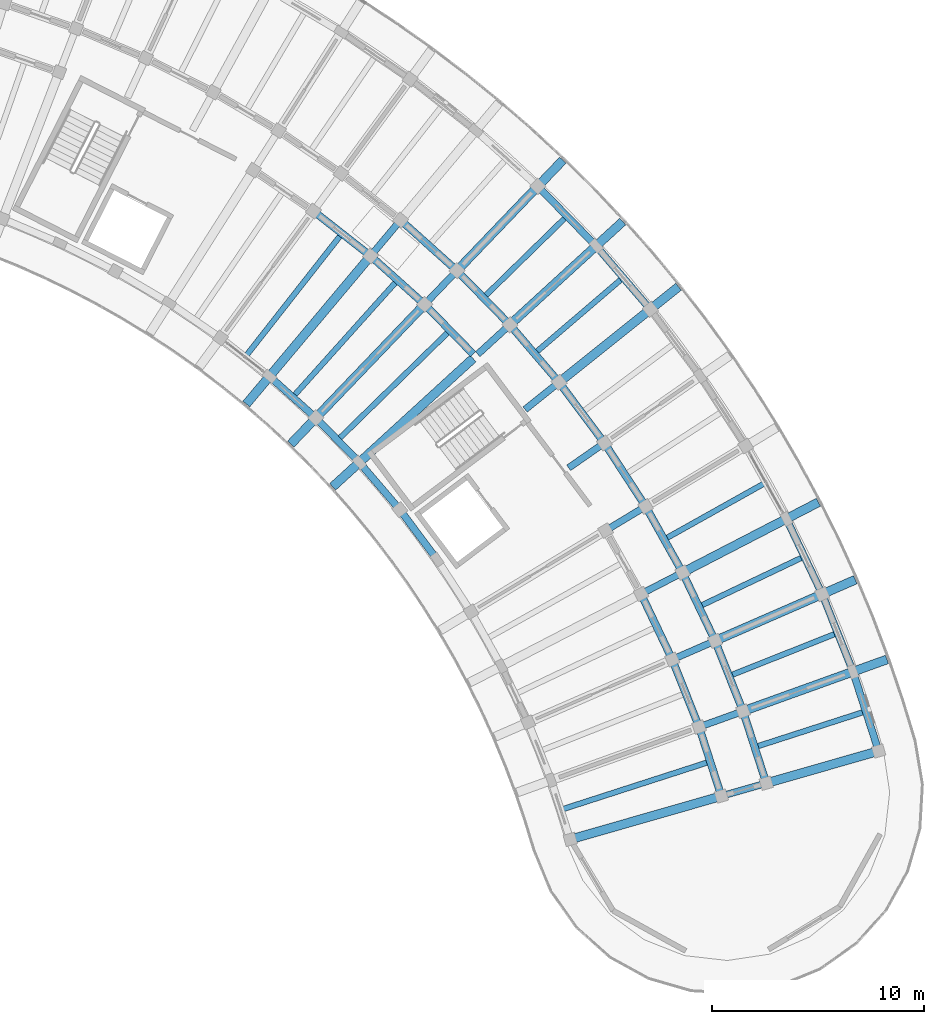
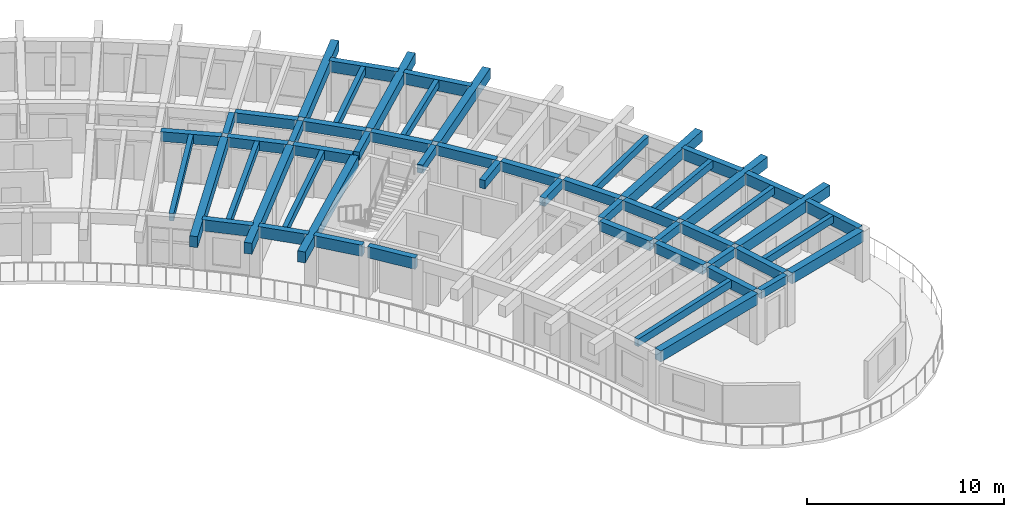
# One storey, part 24 of 78: 55 beams.
"""IFC4 building model written with IfcOpenShell, lengths in metres."""

from ifc_helpers import new_model, si_unit, direction, frame, origin, origin_2d, place, context, subcontext, project, spatial, rectangle, extrude, material, material_profile, profile_set, type_object, element, save


model = new_model("IFC4")

# Units and contexts
model_context = context("Model", 3, precision=1e-05, world=origin(), true_north=direction((0.0, 1.0)))
body_context = subcontext(model_context, "Body", "Model", "MODEL_VIEW")
ifc_project = project(units=[si_unit("LENGTHUNIT", "METRE"), si_unit("AREAUNIT", "SQUARE_METRE"), si_unit("VOLUMEUNIT", "CUBIC_METRE"), si_unit("PLANEANGLEUNIT", "RADIAN"), si_unit("MASSUNIT", "GRAM", prefix="KILO")], contexts=[model_context])

# Site, building, storey
site_placement = place(None, origin())
site = spatial("IfcSite", under=ifc_project, at=site_placement, CompositionType="ELEMENT")
building_placement = place(site_placement, origin())
building = spatial("IfcBuilding", under=site, at=building_placement, Name="Tanwirah Colonnade Gardens", CompositionType="ELEMENT")
storey_placement = place(building_placement, frame((0.0, 0.0, 22.280029296875)))
storey = spatial("IfcBuildingStorey", under=building, at=storey_placement, Name="L06", CompositionType="ELEMENT", Elevation=22.280029296875)

# Beams
ifc_material_1 = material(Name="Precast concrete C40/50", Category="concrete")
ifc_material_profile_1 = material_profile(ifc_material_1, rectangle(XDim=0.320068359375, YDim=0.52001953125, at=origin_2d()), Name="PC-BM 320x520")
ifc_profile_set_1 = profile_set([ifc_material_profile_1], Name="Precast concrete C40/50")
beam_type_1 = type_object("IfcBeamType", Name="BM-PC320", PredefinedType="BEAM", material=ifc_profile_set_1)
for number, where, z_axis, x_axis, name in (
    (1, (170.985595703125, 74.533203125, 2.849853515625), (0.961266538157, 0.275620468433, 0.0), (-0.275620468433, 0.961266538157, 0.0), "Block B L06 Corridor Tie Beam 0"),
    (2, (169.9326171875, 77.79541015625, 2.849853515625), (0.941021664552, 0.338346311999, 0.0), (-0.338346311999, 0.941021664552, 0.0), "Block B L06 Corridor Tie Beam 1"),
    (3, (168.6669921875, 80.981201171875, 2.849853515625), (0.916681481826, 0.399618644306, 0.0), (-0.399618644306, 0.916681481826, 0.0), "Block B L06 Corridor Tie Beam 2"),
):
    element("IfcBeam", number, at=place(storey_placement, frame(where, z_axis=z_axis, x_axis=x_axis)), inside=storey, type_object=beam_type_1, Name=name, PredefinedType="BEAM", context=body_context, shape_type="SweptSolid", body=[
        extrude(rectangle(XDim=0.320068359375, YDim=0.52001953125, at=origin_2d()), origin(), (0.0, 0.0, 1.0), 1.89990234375),
    ])
beam_1_placement = place(storey_placement, frame((167.194091796875, 84.07666015625, 2.849853515625), z_axis=(0.888385730697, 0.459097803844, 0.0), x_axis=(-0.459097803844, 0.888385730697, 0.0)))
element("IfcBeam", 4, at=beam_1_placement, inside=storey, type_object=beam_type_1, Name="Block B L06 Corridor Tie Beam 3", PredefinedType="BEAM", context=body_context, shape_type="SweptSolid", body=[
    extrude(rectangle(XDim=0.320068359375, YDim=0.52001953125, at=origin_2d()), origin(), (0.0, 0.0, 1.0), 1.900146484375),
])
for number, where, z_axis, x_axis, name in (
    (5, (165.520751953125, 87.068359375, 2.849853515625), (0.856174920318, 0.516686080534, 0.0), (-0.516686080534, 0.856174920318, 0.0), "Block B L06 Corridor Tie Beam 4"),
    (6, (163.653564453125, 89.943359375, 2.849853515625), (0.820305001782, 0.571926309983, 0.0), (-0.571926309983, 0.820305001782, 0.0), "Block B L06 Corridor Tie Beam 5"),
    (7, (161.601318359375, 92.68896484375, 2.849853515625), (0.78073089418, 0.624867402633, 0.0), (-0.624867402633, 0.78073089418, 0.0), "Block B L06 Corridor Tie Beam 6"),
    (8, (159.37255859375, 95.29345703125, 2.849853515625), (0.737948361517, 0.674857181732, 0.0), (-0.674857181732, 0.737948361517, 0.0), "Block B L06 Corridor Tie Beam 7"),
):
    element("IfcBeam", number, at=place(storey_placement, frame(where, z_axis=z_axis, x_axis=x_axis)), inside=storey, type_object=beam_type_1, Name=name, PredefinedType="BEAM", context=body_context, shape_type="SweptSolid", body=[
        extrude(rectangle(XDim=0.320068359375, YDim=0.52001953125, at=origin_2d()), origin(), (0.0, 0.0, 1.0), 1.89990234375),
    ])
beam_2_placement = place(storey_placement, frame((156.976806640625, 97.74560546875, 2.849853515625), z_axis=(0.691913735329, 0.721980181766, 0.0), x_axis=(-0.721980181766, 0.691913735329, 0.0)))
element("IfcBeam", 9, at=beam_2_placement, inside=storey, type_object=beam_type_1, Name="Block B L06 Corridor Tie Beam 8", PredefinedType="BEAM", context=body_context, shape_type="SweptSolid", body=[
    extrude(rectangle(XDim=0.320068359375, YDim=0.52001953125, at=origin_2d()), origin(), (0.0, 0.0, 1.0), 1.900146484375),
])
beam_3_placement = place(storey_placement, frame((154.425048828125, 100.034423828125, 2.849853515625), z_axis=(0.642797194343, 0.766036400535, 0.0), x_axis=(-0.766036400535, 0.642797194343, 0.0)))
element("IfcBeam", 10, at=beam_3_placement, inside=storey, type_object=beam_type_1, Name="Block B L06 Corridor Tie Beam 9", PredefinedType="BEAM", context=body_context, shape_type="SweptSolid", body=[
    extrude(rectangle(XDim=0.320068359375, YDim=0.52001953125, at=origin_2d()), origin(), (0.0, 0.0, 1.0), 1.89990234375),
])
ifc_material_profile_2 = material_profile(ifc_material_1, rectangle(XDim=0.35009765625, YDim=0.60009765625, at=origin_2d()), Name="PC-BM 350x600")
ifc_profile_set_2 = profile_set([ifc_material_profile_2], Name="Precast concrete C40/50")
beam_type_2 = type_object("IfcBeamType", Name="BM-PC350B", PredefinedType="BEAM", material=ifc_profile_set_2)
beam_4_placement = place(storey_placement, frame((170.79541015625, 74.634521484375, 2.81005859375), z_axis=(-0.307169780148, 0.951654730542, 0.0), x_axis=(-0.951654730542, -0.307169780148, 0.0)))
element("IfcBeam", 11, at=beam_4_placement, inside=storey, type_object=beam_type_2, Name="Block B L06 Circumferential Beam 0-R1", PredefinedType="BEAM", context=body_context, shape_type="SweptSolid", body=[
    extrude(rectangle(XDim=0.35009765625, YDim=0.60009765625, at=origin_2d()), origin(), (0.0, 0.0, 1.0), 3.117919921875),
])
beam_5_placement = place(storey_placement, frame((172.91015625, 75.240966796875, 2.81005859375), z_axis=(-0.307212636327, 0.9516408966, 0.0), x_axis=(-0.9516408966, -0.307212636327, 0.0)))
element("IfcBeam", 12, at=beam_5_placement, inside=storey, type_object=beam_type_2, Name="Block B L06 Circumferential Beam 0-R2", PredefinedType="BEAM", context=body_context, shape_type="SweptSolid", body=[
    extrude(rectangle(XDim=0.35009765625, YDim=0.60009765625, at=origin_2d()), origin(), (0.0, 0.0, 1.0), 3.262939453125),
])
beam_6_placement = place(storey_placement, frame((169.736083984375, 77.884033203125, 2.81005859375), z_axis=(-0.369189105832, 0.929354294193, 0.0), x_axis=(-0.929354294193, -0.369189105832, 0.0)))
element("IfcBeam", 13, at=beam_6_placement, inside=storey, type_object=beam_type_2, Name="Block B L06 Circumferential Beam 1-R1", PredefinedType="BEAM", context=body_context, shape_type="SweptSolid", body=[
    extrude(rectangle(XDim=0.35009765625, YDim=0.60009765625, at=origin_2d()), origin(), (0.0, 0.0, 1.0), 3.117919921875),
])
beam_7_placement = place(storey_placement, frame((171.806396484375, 78.62841796875, 2.81005859375), z_axis=(-0.369209712056, 0.929346108037, 0.0), x_axis=(-0.929346108037, -0.369209712056, 0.0)))
element("IfcBeam", 14, at=beam_7_placement, inside=storey, type_object=beam_type_2, Name="Block B L06 Circumferential Beam 1-R2", PredefinedType="BEAM", context=body_context, shape_type="SweptSolid", body=[
    extrude(rectangle(XDim=0.35009765625, YDim=0.60009765625, at=origin_2d()), origin(), (0.0, 0.0, 1.0), 3.26318359375),
])
beam_8_placement = place(storey_placement, frame((168.465087890625, 81.056640625, 2.81005859375), z_axis=(-0.429620507728, 0.903009534468, 0.0), x_axis=(-0.903009534468, -0.429620507728, 0.0)))
element("IfcBeam", 15, at=beam_8_placement, inside=storey, type_object=beam_type_2, Name="Block B L06 Circumferential Beam 2-R1", PredefinedType="BEAM", context=body_context, shape_type="SweptSolid", body=[
    extrude(rectangle(XDim=0.35009765625, YDim=0.60009765625, at=origin_2d()), origin(), (0.0, 0.0, 1.0), 3.1181640625),
])
beam_9_placement = place(storey_placement, frame((170.481689453125, 81.935791015625, 2.81005859375), z_axis=(-0.4295908638, 0.90302363742, 0.0), x_axis=(-0.90302363742, -0.4295908638, 0.0)))
element("IfcBeam", 16, at=beam_9_placement, inside=storey, type_object=beam_type_2, Name="Block B L06 Circumferential Beam 2-R2", PredefinedType="BEAM", context=body_context, shape_type="SweptSolid", body=[
    extrude(rectangle(XDim=0.35009765625, YDim=0.60009765625, at=origin_2d()), origin(), (0.0, 0.0, 1.0), 3.26318359375),
])
for number, where, z_axis, x_axis, name in (
    (17, (168.942138671875, 85.14892578125, 2.81005859375), (-0.488213717102, 0.87272410671, 0.0), (-0.87272410671, -0.488213717102, 0.0), "Block B L06 Circumferential Beam 3-R2"),
    (18, (167.194091796875, 88.25341796875, 2.81005859375), (-0.544627998385, 0.838677735114, 0.0), (-0.838677735114, -0.544627998385, 0.0), "Block B L06 Circumferential Beam 4-R2"),
    (19, (165.245361328125, 91.236083984375, 2.81005859375), (-0.59871829396, 0.800959677186, 0.0), (-0.800959677186, -0.59871829396, 0.0), "Block B L06 Circumferential Beam 5-R2"),
):
    element("IfcBeam", number, at=place(storey_placement, frame(where, z_axis=z_axis, x_axis=x_axis)), inside=storey, type_object=beam_type_2, Name=name, PredefinedType="BEAM", context=body_context, shape_type="SweptSolid", body=[
        extrude(rectangle(XDim=0.35009765625, YDim=0.60009765625, at=origin_2d()), origin(), (0.0, 0.0, 1.0), 3.262939453125),
    ])
beam_10_placement = place(storey_placement, frame((163.1044921875, 94.083740234375, 2.81005859375), z_axis=(-0.650218192342, 0.759747525398, 0.0), x_axis=(-0.759747525398, -0.650218192342, 0.0)))
element("IfcBeam", 20, at=beam_10_placement, inside=storey, type_object=beam_type_2, Name="Block B L06 Circumferential Beam 6-R2", PredefinedType="BEAM", context=body_context, shape_type="SweptSolid", body=[
    extrude(rectangle(XDim=0.35009765625, YDim=0.60009765625, at=origin_2d()), origin(), (0.0, 0.0, 1.0), 3.26318359375),
])
beam_11_placement = place(storey_placement, frame((159.156982421875, 95.299560546875, 2.81005859375), z_axis=(-0.698837366631, 0.715280598787, 0.0), x_axis=(-0.715280598787, -0.698837366631, 0.0)))
element("IfcBeam", 21, at=beam_11_placement, inside=storey, type_object=beam_type_2, Name="Block B L06 Circumferential Beam 7-R1", PredefinedType="BEAM", context=body_context, shape_type="SweptSolid", body=[
    extrude(rectangle(XDim=0.35009765625, YDim=0.60009765625, at=origin_2d()), origin(), (0.0, 0.0, 1.0), 3.117919921875),
])
beam_12_placement = place(storey_placement, frame((160.780517578125, 96.7841796875, 2.81005859375), z_axis=(-0.698829447339, 0.71528833594, 0.0), x_axis=(-0.71528833594, -0.698829447339, 0.0)))
element("IfcBeam", 22, at=beam_12_placement, inside=storey, type_object=beam_type_2, Name="Block B L06 Circumferential Beam 7-R2", PredefinedType="BEAM", context=body_context, shape_type="SweptSolid", body=[
    extrude(rectangle(XDim=0.35009765625, YDim=0.60009765625, at=origin_2d()), origin(), (0.0, 0.0, 1.0), 3.263427734375),
])
beam_13_placement = place(storey_placement, frame((156.761474609375, 97.7373046875, 2.81005859375), z_axis=(-0.744429866059, 0.667700662363, 0.0), x_axis=(-0.667700662363, -0.744429866059, 0.0)))
element("IfcBeam", 23, at=beam_13_placement, inside=storey, type_object=beam_type_2, Name="Block B L06 Circumferential Beam 8-R1", PredefinedType="BEAM", context=body_context, shape_type="SweptSolid", body=[
    extrude(rectangle(XDim=0.35009765625, YDim=0.60009765625, at=origin_2d()), origin(), (0.0, 0.0, 1.0), 3.1181640625),
])
beam_14_placement = place(storey_placement, frame((158.283447265625, 99.32568359375, 2.81005859375), z_axis=(-0.744409136578, 0.667723773262, 0.0), x_axis=(-0.667723773262, -0.744409136578, 0.0)))
element("IfcBeam", 24, at=beam_14_placement, inside=storey, type_object=beam_type_2, Name="Block B L06 Circumferential Beam 8-R2", PredefinedType="BEAM", context=body_context, shape_type="SweptSolid", body=[
    extrude(rectangle(XDim=0.35009765625, YDim=0.60009765625, at=origin_2d()), origin(), (0.0, 0.0, 1.0), 3.26318359375),
])
beam_15_placement = place(storey_placement, frame((154.21044921875, 100.011962890625, 2.81005859375), z_axis=(-0.78679899272, 0.617209320292, 0.0), x_axis=(-0.617209320292, -0.78679899272, 0.0)))
element("IfcBeam", 25, at=beam_15_placement, inside=storey, type_object=beam_type_2, Name="Block B L06 Circumferential Beam 9-R1", PredefinedType="BEAM", context=body_context, shape_type="SweptSolid", body=[
    extrude(rectangle(XDim=0.35009765625, YDim=0.60009765625, at=origin_2d()), origin(), (0.0, 0.0, 1.0), 3.1181640625),
])
ifc_material_2 = material(Name="Precast concrete C45/55", Category="concrete")
ifc_material_profile_3 = material_profile(ifc_material_2, rectangle(XDim=0.419921875, YDim=0.679931640625, at=origin_2d()), Name="PC-BM 420x680")
ifc_profile_set_3 = profile_set([ifc_material_profile_3], Name="Precast concrete C45/55")
beam_type_3 = type_object("IfcBeamType", Name="BM-PC420", PredefinedType="BEAM", material=ifc_profile_set_3)
beam_16_placement = place(storey_placement, frame((170.697265625, 74.450439453125, 2.77001953125), z_axis=(-0.961261397636, -0.275638396117, 0.0), x_axis=(0.275638396117, -0.961261397636, 0.0)))
element("IfcBeam", 26, at=beam_16_placement, inside=storey, type_object=beam_type_3, Name="Block B L06 Inner Radial Precast Girder 0", PredefinedType="BEAM", context=body_context, shape_type="SweptSolid", body=[
    extrude(rectangle(XDim=0.419921875, YDim=0.679931640625, at=origin_2d()), origin(), (0.0, 0.0, 1.0), 7.10009765625),
])
beam_17_placement = place(storey_placement, frame((173.100341796875, 75.1396484375, 2.77001953125), z_axis=(0.961271958689, 0.275601562836, 0.0), x_axis=(-0.275601562836, 0.961271958689, 0.0)))
element("IfcBeam", 27, at=beam_17_placement, inside=storey, type_object=beam_type_3, Name="Block B L06 Outer Radial Precast Girder 0", PredefinedType="BEAM", context=body_context, shape_type="SweptSolid", body=[
    extrude(rectangle(XDim=0.419921875, YDim=0.679931640625, at=origin_2d()), origin(), (0.0, 0.0, 1.0), 5.199951171875),
])
beam_18_placement = place(storey_placement, frame((172.0029296875, 78.539794921875, 2.77001953125), z_axis=(0.941011841171, 0.338373631917, 0.0), x_axis=(-0.338373631917, 0.941011841171, 0.0)))
element("IfcBeam", 28, at=beam_18_placement, inside=storey, type_object=beam_type_3, Name="Block B L06 Outer Radial Precast Girder 1", PredefinedType="BEAM", context=body_context, shape_type="SweptSolid", body=[
    extrude(rectangle(XDim=0.419921875, YDim=0.679931640625, at=origin_2d()), origin(), (0.0, 0.0, 1.0), 7.0498046875),
])
beam_19_placement = place(storey_placement, frame((170.68359375, 81.8603515625, 2.77001953125), z_axis=(0.916678725612, 0.399624966702, 0.0), x_axis=(-0.399624966702, 0.916678725612, 0.0)))
element("IfcBeam", 29, at=beam_19_placement, inside=storey, type_object=beam_type_3, Name="Block B L06 Outer Radial Precast Girder 2", PredefinedType="BEAM", context=body_context, shape_type="SweptSolid", body=[
    extrude(rectangle(XDim=0.419921875, YDim=0.679931640625, at=origin_2d()), origin(), (0.0, 0.0, 1.0), 7.050048828125),
])
beam_20_placement = place(storey_placement, frame((169.148681640625, 85.0869140625, 2.77001953125), z_axis=(0.888348690665, 0.459169471758, 0.0), x_axis=(-0.459169471758, 0.888348690665, 0.0)))
element("IfcBeam", 30, at=beam_20_placement, inside=storey, type_object=beam_type_3, Name="Block B L06 Outer Radial Precast Girder 3", PredefinedType="BEAM", context=body_context, shape_type="SweptSolid", body=[
    extrude(rectangle(XDim=0.419921875, YDim=0.679931640625, at=origin_2d()), origin(), (0.0, 0.0, 1.0), 7.0498046875),
])
beam_21_placement = place(storey_placement, frame((163.319091796875, 94.0634765625, 2.77001953125), z_axis=(0.780794476885, 0.624787951921, 0.0), x_axis=(-0.624787951921, 0.780794476885, 0.0)))
element("IfcBeam", 31, at=beam_21_placement, inside=storey, type_object=beam_type_3, Name="Block B L06 Outer Radial Precast Girder 6", PredefinedType="BEAM", context=body_context, shape_type="SweptSolid", body=[
    extrude(rectangle(XDim=0.419921875, YDim=0.679931640625, at=origin_2d()), origin(), (0.0, 0.0, 1.0), 7.050048828125),
])
beam_22_placement = place(storey_placement, frame((159.151123046875, 95.091064453125, 2.77001953125), z_axis=(-0.737937205818, -0.674869380154, 0.0), x_axis=(0.674869380154, -0.737937205818, 0.0)))
element("IfcBeam", 32, at=beam_22_placement, inside=storey, type_object=beam_type_3, Name="Block B L06 Inner Radial Precast Girder 7", PredefinedType="BEAM", context=body_context, shape_type="SweptSolid", body=[
    extrude(rectangle(XDim=0.419921875, YDim=0.679931640625, at=origin_2d()), origin(), (0.0, 0.0, 1.0), 8.949951171875),
])
beam_23_placement = place(storey_placement, frame((160.995849609375, 96.7783203125, 2.77001953125), z_axis=(0.737934199263, 0.674872667663, 0.0), x_axis=(-0.674872667663, 0.737934199263, 0.0)))
element("IfcBeam", 33, at=beam_23_placement, inside=storey, type_object=beam_type_3, Name="Block B L06 Outer Radial Precast Girder 7", PredefinedType="BEAM", context=body_context, shape_type="SweptSolid", body=[
    extrude(rectangle(XDim=0.419921875, YDim=0.679931640625, at=origin_2d()), origin(), (0.0, 0.0, 1.0), 7.050048828125),
])
beam_24_placement = place(storey_placement, frame((156.769287109375, 97.52880859375, 2.77001953125), z_axis=(-0.691860926595, -0.722030787606, 0.0), x_axis=(0.722030787606, -0.691860926595, 0.0)))
element("IfcBeam", 34, at=beam_24_placement, inside=storey, type_object=beam_type_3, Name="Block B L06 Inner Radial Precast Girder 8", PredefinedType="BEAM", context=body_context, shape_type="SweptSolid", body=[
    extrude(rectangle(XDim=0.419921875, YDim=0.679931640625, at=origin_2d()), origin(), (0.0, 0.0, 1.0), 8.949951171875),
])
beam_25_placement = place(storey_placement, frame((158.4990234375, 99.333984375, 2.77001953125), z_axis=(0.691864746793, 0.722027127015, 0.0), x_axis=(-0.722027127015, 0.691864746793, 0.0)))
element("IfcBeam", 35, at=beam_25_placement, inside=storey, type_object=beam_type_3, Name="Block B L06 Outer Radial Precast Girder 8", PredefinedType="BEAM", context=body_context, shape_type="SweptSolid", body=[
    extrude(rectangle(XDim=0.419921875, YDim=0.679931640625, at=origin_2d()), origin(), (0.0, 0.0, 1.0), 7.050048828125),
])
beam_26_placement = place(storey_placement, frame((154.232177734375, 99.804443359375, 2.77001953125), z_axis=(-0.64279407932, -0.766039014406, 0.0), x_axis=(0.766039014406, -0.64279407932, 0.0)))
element("IfcBeam", 36, at=beam_26_placement, inside=storey, type_object=beam_type_3, Name="Block B L06 Inner Radial Precast Girder 9", PredefinedType="BEAM", context=body_context, shape_type="SweptSolid", body=[
    extrude(rectangle(XDim=0.419921875, YDim=0.679931640625, at=origin_2d()), origin(), (0.0, 0.0, 1.0), 8.949951171875),
])
ifc_material_profile_4 = material_profile(ifc_material_1, rectangle(XDim=0.260009765625, YDim=0.4599609375, at=origin_2d()), Name="PC-JST 260x460")
ifc_profile_set_4 = profile_set([ifc_material_profile_4], Name="Precast concrete C40/50")
beam_type_4 = type_object("IfcBeamType", Name="JST-PC260", PredefinedType="JOIST", material=ifc_profile_set_4)
beam_27_placement = place(storey_placement, frame((172.551025390625, 76.839599609375, 2.8798828125), z_axis=(0.951656985441, 0.307162794072, 0.0), x_axis=(-0.307162794072, 0.951656985441, 0.0)))
element("IfcBeam", 37, at=beam_27_placement, inside=storey, type_object=beam_type_4, Name="Block B L06 Precast Floor Joist 0", PredefinedType="JOIST", context=body_context, shape_type="SweptSolid", body=[
    extrude(rectangle(XDim=0.260009765625, YDim=0.4599609375, at=origin_2d()), origin(), (0.0, 0.0, 1.0), 5.26025390625),
])
beam_28_placement = place(storey_placement, frame((163.415283203125, 73.890625, 2.8798828125), z_axis=(0.951647858625, 0.307191069489, 0.0), x_axis=(-0.307191069489, 0.951647858625, 0.0)))
element("IfcBeam", 38, at=beam_28_placement, inside=storey, type_object=beam_type_4, Name="Block B L06 Inner Precast Floor Joist 0", PredefinedType="JOIST", context=body_context, shape_type="SweptSolid", body=[
    extrude(rectangle(XDim=0.260009765625, YDim=0.4599609375, at=origin_2d()), origin(), (0.0, 0.0, 1.0), 7.159912109375),
])
beam_29_placement = place(storey_placement, frame((171.3427734375, 80.199951171875, 2.8798828125), z_axis=(0.929357539836, 0.369180935517, 0.0), x_axis=(-0.369180935517, 0.929357539836, 0.0)))
element("IfcBeam", 39, at=beam_29_placement, inside=storey, type_object=beam_type_4, Name="Block B L06 Precast Floor Joist 1", PredefinedType="JOIST", context=body_context, shape_type="SweptSolid", body=[
    extrude(rectangle(XDim=0.260009765625, YDim=0.4599609375, at=origin_2d()), origin(), (0.0, 0.0, 1.0), 5.260009765625),
])
beam_30_placement = place(storey_placement, frame((169.91552734375, 83.473388671875, 2.8798828125), z_axis=(0.903018314862, 0.429602051931, 0.0), x_axis=(-0.429602051931, 0.903018314862, 0.0)))
element("IfcBeam", 40, at=beam_30_placement, inside=storey, type_object=beam_type_4, Name="Block B L06 Precast Floor Joist 2", PredefinedType="JOIST", context=body_context, shape_type="SweptSolid", body=[
    extrude(rectangle(XDim=0.260009765625, YDim=0.4599609375, at=origin_2d()), origin(), (0.0, 0.0, 1.0), 5.26025390625),
])
beam_31_placement = place(storey_placement, frame((168.27587890625, 86.645751953125, 2.8798828125), z_axis=(0.872737031138, 0.488190612855, 0.0), x_axis=(-0.488190612855, 0.872737031138, 0.0)))
element("IfcBeam", 41, at=beam_31_placement, inside=storey, type_object=beam_type_4, Name="Block B L06 Precast Floor Joist 3", PredefinedType="JOIST", context=body_context, shape_type="SweptSolid", body=[
    extrude(rectangle(XDim=0.260009765625, YDim=0.4599609375, at=origin_2d()), origin(), (0.0, 0.0, 1.0), 5.260009765625),
])
beam_32_placement = place(storey_placement, frame((162.156982421875, 95.42041015625, 2.8798828125), z_axis=(0.759770723643, 0.65019108537, 0.0), x_axis=(-0.65019108537, 0.759770723643, 0.0)))
element("IfcBeam", 42, at=beam_32_placement, inside=storey, type_object=beam_type_4, Name="Block B L06 Precast Floor Joist 6", PredefinedType="JOIST", context=body_context, shape_type="SweptSolid", body=[
    extrude(rectangle(XDim=0.260009765625, YDim=0.4599609375, at=origin_2d()), origin(), (0.0, 0.0, 1.0), 5.26025390625),
])
beam_33_placement = place(storey_placement, frame((159.7470703125, 98.0556640625, 2.8798828125), z_axis=(0.715297399369, 0.698820170327, 0.0), x_axis=(-0.698820170327, 0.715297399369, 0.0)))
element("IfcBeam", 43, at=beam_33_placement, inside=storey, type_object=beam_type_4, Name="Block B L06 Precast Floor Joist 7", PredefinedType="JOIST", context=body_context, shape_type="SweptSolid", body=[
    extrude(rectangle(XDim=0.260009765625, YDim=0.4599609375, at=origin_2d()), origin(), (0.0, 0.0, 1.0), 5.260009765625),
])
beam_34_placement = place(storey_placement, frame((152.88037109375, 91.346923828125, 2.8798828125), z_axis=(0.715276680509, 0.698841377081, 0.0), x_axis=(-0.698841377081, 0.715276680509, 0.0)))
element("IfcBeam", 44, at=beam_34_placement, inside=storey, type_object=beam_type_4, Name="Block B L06 Inner Precast Floor Joist 7", PredefinedType="JOIST", context=body_context, shape_type="SweptSolid", body=[
    extrude(rectangle(XDim=0.260009765625, YDim=0.4599609375, at=origin_2d()), origin(), (0.0, 0.0, 1.0), 7.159912109375),
])
beam_35_placement = place(storey_placement, frame((150.7587890625, 93.379638671875, 2.8798828125), z_axis=(0.667688404274, 0.744440860511, 0.0), x_axis=(-0.744440860511, 0.667688404274, 0.0)))
element("IfcBeam", 45, at=beam_35_placement, inside=storey, type_object=beam_type_4, Name="Block B L06 Inner Precast Floor Joist 8", PredefinedType="JOIST", context=body_context, shape_type="SweptSolid", body=[
    extrude(rectangle(XDim=0.260009765625, YDim=0.4599609375, at=origin_2d()), origin(), (0.0, 0.0, 1.0), 7.16015625),
])
beam_36_placement = place(storey_placement, frame((148.508056640625, 95.268310546875, 2.8798828125), z_axis=(0.617202438917, 0.786804390808, 0.0), x_axis=(-0.786804390808, 0.617202438917, 0.0)))
element("IfcBeam", 46, at=beam_36_placement, inside=storey, type_object=beam_type_4, Name="Block B L06 Inner Precast Floor Joist 9", PredefinedType="JOIST", context=body_context, shape_type="SweptSolid", body=[
    extrude(rectangle(XDim=0.260009765625, YDim=0.4599609375, at=origin_2d()), origin(), (0.0, 0.0, 1.0), 7.159912109375),
])
ifc_material_profile_5 = material_profile(ifc_material_1, rectangle(XDim=0.3349609375, YDim=0.695068359375, at=origin_2d()), Name="PC-SP 335x695")
ifc_profile_set_5 = profile_set([ifc_material_profile_5], Name="Precast concrete C40/50")
beam_type_5 = type_object("IfcBeamType", Name="SP-PC300", PredefinedType="SPANDREL", material=ifc_profile_set_5)
for number, where, z_axis, x_axis, name in (
    (47, (178.197021484375, 76.7568359375, 2.762451171875), (-0.307183773768, 0.951650213647, 0.0), (-0.951650213647, -0.307183773768, 0.0), "Block B L06 Circumferential Beam 0-R3"),
    (48, (176.98193359375, 80.489501953125, 2.762451171875), (-0.369195460985, 0.929351769562, 0.0), (-0.929351769562, -0.369195460985, 0.0), "Block B L06 Circumferential Beam 1-R3"),
    (49, (175.5234375, 84.1337890625, 2.762451171875), (-0.429593766142, 0.903022256698, 0.0), (-0.903022256698, -0.429593766142, 0.0), "Block B L06 Circumferential Beam 2-R3"),
):
    element("IfcBeam", number, at=place(storey_placement, frame(where, z_axis=z_axis, x_axis=x_axis)), inside=storey, type_object=beam_type_5, Name=name, PredefinedType="SPANDREL", context=body_context, shape_type="SweptSolid", body=[
        extrude(rectangle(XDim=0.3349609375, YDim=0.695068359375, at=origin_2d()), origin(), (0.0, 0.0, 1.0), 3.625732421875),
    ])
beam_37_placement = place(storey_placement, frame((157.370849609375, 85.744873046875, 2.762451171875), z_axis=(-0.598662613551, 0.80100129534, 0.0), x_axis=(-0.80100129534, -0.598662613551, 0.0)))
element("IfcBeam", 50, at=beam_37_placement, inside=storey, type_object=beam_type_5, Name="Block B L06 Circumferential Beam 5-R0", PredefinedType="SPANDREL", context=body_context, shape_type="SweptSolid", body=[
    extrude(rectangle(XDim=0.3349609375, YDim=0.695068359375, at=origin_2d()), origin(), (0.0, 0.0, 1.0), 2.63037109375),
])
beam_38_placement = place(storey_placement, frame((155.60888671875, 88.0859375, 2.762451171875), z_axis=(-0.650217875778, 0.759747796323, 0.0), x_axis=(-0.759747796323, -0.650217875778, 0.0)))
element("IfcBeam", 51, at=beam_38_placement, inside=storey, type_object=beam_type_5, Name="Block B L06 Circumferential Beam 6-R0", PredefinedType="SPANDREL", context=body_context, shape_type="SweptSolid", body=[
    extrude(rectangle(XDim=0.3349609375, YDim=0.695068359375, at=origin_2d()), origin(), (0.0, 0.0, 1.0), 2.630126953125),
])
beam_39_placement = place(storey_placement, frame((167.398681640625, 97.52001953125, 2.762451171875), z_axis=(-0.650170105297, 0.759788677317, 0.0), x_axis=(-0.759788677317, -0.650170105297, 0.0)))
element("IfcBeam", 52, at=beam_39_placement, inside=storey, type_object=beam_type_5, Name="Block B L06 Circumferential Beam 6-R3", PredefinedType="SPANDREL", context=body_context, shape_type="SweptSolid", body=[
    extrude(rectangle(XDim=0.3349609375, YDim=0.695068359375, at=origin_2d()), origin(), (0.0, 0.0, 1.0), 3.625732421875),
])
beam_40_placement = place(storey_placement, frame((153.6962890625, 90.305419921875, 2.762451171875), z_axis=(-0.698844462704, 0.715273665772, 0.0), x_axis=(-0.715273665772, -0.698844462704, 0.0)))
element("IfcBeam", 53, at=beam_40_placement, inside=storey, type_object=beam_type_5, Name="Block B L06 Circumferential Beam 7-R0", PredefinedType="SPANDREL", context=body_context, shape_type="SweptSolid", body=[
    extrude(rectangle(XDim=0.3349609375, YDim=0.695068359375, at=origin_2d()), origin(), (0.0, 0.0, 1.0), 2.630126953125),
])
beam_41_placement = place(storey_placement, frame((164.839111328125, 100.49609375, 2.762451171875), z_axis=(-0.698844493997, 0.715273635199, 0.0), x_axis=(-0.715273635199, -0.698844493997, 0.0)))
element("IfcBeam", 54, at=beam_41_placement, inside=storey, type_object=beam_type_5, Name="Block B L06 Circumferential Beam 7-R3", PredefinedType="SPANDREL", context=body_context, shape_type="SweptSolid", body=[
    extrude(rectangle(XDim=0.3349609375, YDim=0.695068359375, at=origin_2d()), origin(), (0.0, 0.0, 1.0), 3.6259765625),
])
beam_42_placement = place(storey_placement, frame((151.6416015625, 92.394287109375, 2.762451171875), z_axis=(-0.744400790288, 0.667733077972, 0.0), x_axis=(-0.667733077972, -0.744400790288, 0.0)))
element("IfcBeam", 55, at=beam_42_placement, inside=storey, type_object=beam_type_5, Name="Block B L06 Circumferential Beam 8-R0", PredefinedType="SPANDREL", context=body_context, shape_type="SweptSolid", body=[
    extrude(rectangle(XDim=0.3349609375, YDim=0.695068359375, at=origin_2d()), origin(), (0.0, 0.0, 1.0), 2.63037109375),
])

save(model, "model.ifc")
